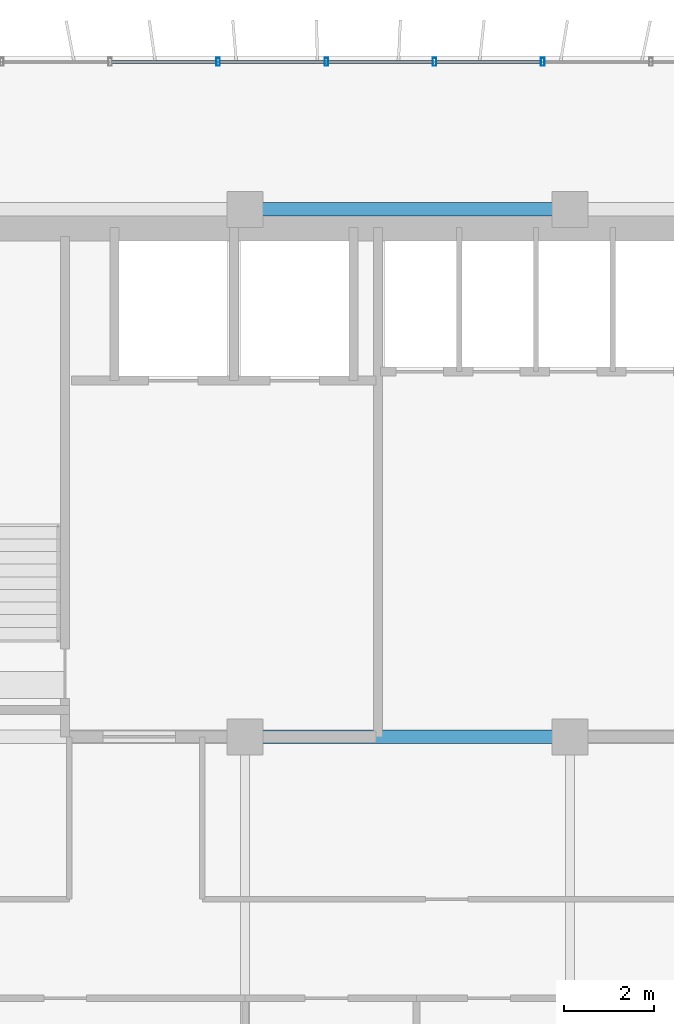
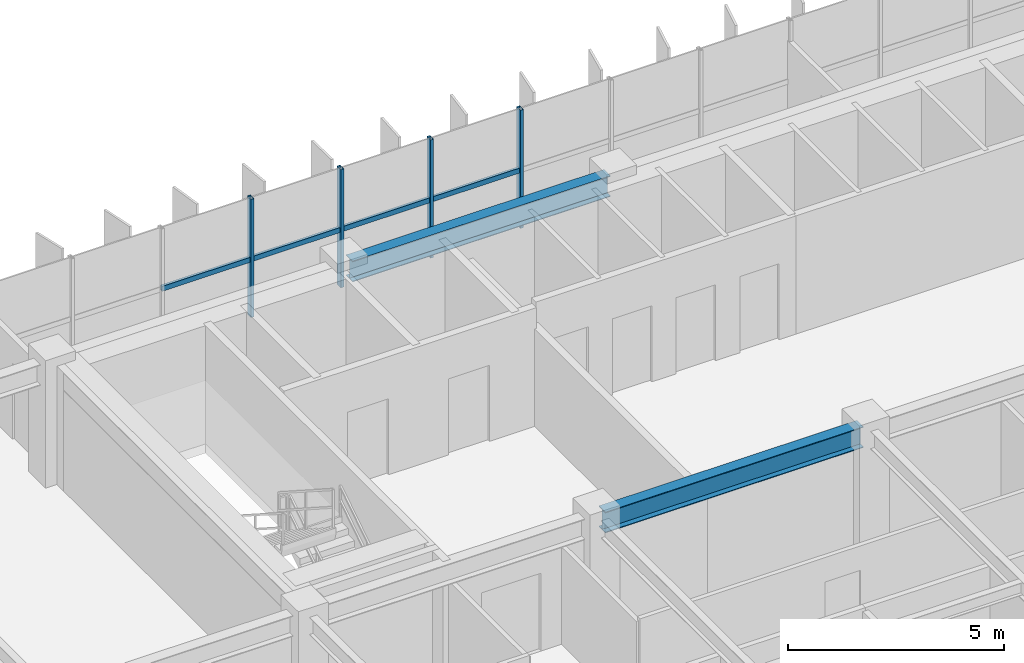
# One storey, part 6 of 21: 8 members, 2 beams, 1 element without a shape of its own.
"""IFC4 building model written with IfcOpenShell, lengths in metres."""

from ifc_helpers import new_model, si_unit, direction, frame, origin, origin_2d, place, context, subcontext, project, spatial, hollow_rectangle, i_section, extrude, source, transform, mapped, material, material_profile, profile_set, type_object, element, aggregate, save


model = new_model("IFC4")

# Units and contexts
model_context = context("Model", 3, precision=1e-05, world=origin(), true_north=direction((0.0, 1.0)))
body_context = subcontext(model_context, "Body", "Model", "MODEL_VIEW")
ifc_project = project(units=[si_unit("LENGTHUNIT", "METRE"), si_unit("AREAUNIT", "SQUARE_METRE"), si_unit("VOLUMEUNIT", "CUBIC_METRE"), si_unit("PLANEANGLEUNIT", "RADIAN"), si_unit("MASSUNIT", "GRAM", prefix="KILO")], contexts=[model_context])

# Site, building, storey
site_placement = place(None, origin())
site = spatial("IfcSite", under=ifc_project, at=site_placement, CompositionType="ELEMENT")
building_placement = place(site_placement, origin())
building = spatial("IfcBuilding", under=site, at=building_placement, Name="Trelvane Seafront Commons", CompositionType="ELEMENT")
storey_placement = place(building_placement, frame((0.0, 0.0, 106.89990234375)))
storey = spatial("IfcBuildingStorey", under=building, at=storey_placement, Name="L27", CompositionType="ELEMENT", Elevation=106.89990234375)

# Beams
ifc_material_1 = material(Name="Steel SM355 (S355)", Category="steel")
ifc_material_profile_1 = material_profile(ifc_material_1, i_section(OverallWidth=0.300048828125, OverallDepth=0.587890625, WebThickness=0.011962890625, FlangeThickness=0.02001953125, at=origin_2d()), Name="H-588x300x12x20")
ifc_profile_set_1 = profile_set([ifc_material_profile_1], Name="Steel SM355 (S355)")
beam_type = type_object("IfcBeamType", Name="STR-BM-H588", PredefinedType="BEAM", material=ifc_profile_set_1)
shared_shape_1 = source(origin(), body_context, "Body", "SweptSolid", [
    extrude(i_section(OverallWidth=0.300048828125, OverallDepth=0.587890625, WebThickness=0.011962890625, FlangeThickness=0.02001953125, at=origin_2d()), origin(), (0.0, 0.0, 1.0), 6.89990234375),
])
for number, where, z_axis, x_axis, name in (
    (1, (23.550048828125, 33.39990234375, 3.046142578125), (1.0, 0.0, 0.0), (0.0, 1.0, 0.0), "L27 Primary Girder G-22"),
    (2, (23.550048828125, 45.10009765625, 3.046142578125), (1.0, 0.0, 0.0), (0.0, 1.0, 0.0), "L27 Primary Girder G-31"),
):
    element("IfcBeam", number, at=place(storey_placement, frame(where, z_axis=z_axis, x_axis=x_axis)), inside=storey, type_object=beam_type, Name=name, PredefinedType="BEAM", context=body_context, shape_type="MappedRepresentation", body=[
        mapped(shared_shape_1, transform((0.0, 0.0, 0.0), x_axis=(1.0, 0.0, 0.0), y_axis=(0.0, 1.0, 0.0), z_axis=(0.0, 0.0, 1.0), scale=1.0)),
    ])

# Curtain wall, members
ifc_material_2 = material(Name="Anodised pale-silver aluminium", Category="aluminium")
curtain_wall_type = type_object("IfcCurtainWallType", Name="ARCH-CW4-SKYLOBBY", PredefinedType="NOTDEFINED", material=ifc_material_2)
curtain_wall_placement = place(storey_placement, origin())
curtain_wall = element("IfcCurtainWall", 3, at=curtain_wall_placement, inside=storey, type_object=curtain_wall_type, Name="CW-L27-0052", PredefinedType="NOTDEFINED")
ifc_material_profile_2 = material_profile(ifc_material_2, hollow_rectangle(XDim=0.074951171875, YDim=0.139892578125, WallThickness=0.00390625, at=origin_2d()), Name="TRAN-75x140x4")
ifc_profile_set_2 = profile_set([ifc_material_profile_2], Name="Anodised pale-silver aluminium")
member_type_1 = type_object("IfcMemberType", Name="ARCH-CW-TRAN-140", PredefinedType="USERDEFINED", material=ifc_profile_set_2)
shared_shape_2 = source(origin(), body_context, "Body", "SweptSolid", [
    extrude(hollow_rectangle(XDim=0.074951171875, YDim=0.139892578125, WallThickness=0.00390625, at=origin_2d()), origin(), (0.0, 0.0, 1.0), 2.3759765625),
])
member_1_placement = place(storey_placement, frame((20.412109375, 48.3701171875, 1.60302734375), z_axis=(1.0, 0.0, 0.0), x_axis=(0.0, 1.0, 0.0)))
member_1 = element("IfcMember", 4, at=member_1_placement, type_object=member_type_1, Name="CW-L27-0052-T02", ObjectType="TRANSOM", PredefinedType="USERDEFINED", context=body_context, shape_type="MappedRepresentation", body=[
    mapped(shared_shape_2, transform((0.0, 0.0, 0.0), x_axis=(1.0, 0.0, 0.0), y_axis=(0.0, 1.0, 0.0), z_axis=(0.0, 0.0, 1.0), scale=1.0)),
])
member_2_placement = place(storey_placement, frame((22.81201171875, 48.3701171875, 1.60302734375), z_axis=(1.0, 0.0, 0.0), x_axis=(0.0, 1.0, 0.0)))
member_2 = element("IfcMember", 5, at=member_2_placement, type_object=member_type_1, Name="CW-L27-0052-T03", ObjectType="TRANSOM", PredefinedType="USERDEFINED", context=body_context, shape_type="MappedRepresentation", body=[
    mapped(shared_shape_2, transform((0.0, 0.0, 0.0), x_axis=(1.0, 0.0, 0.0), y_axis=(0.0, 1.0, 0.0), z_axis=(0.0, 0.0, 1.0), scale=1.0)),
])
member_3_placement = place(storey_placement, frame((25.2119140625, 48.3701171875, 1.60302734375), z_axis=(1.0, 0.0, 0.0), x_axis=(0.0, 1.0, 0.0)))
member_3 = element("IfcMember", 6, at=member_3_placement, type_object=member_type_1, Name="CW-L27-0052-T04", ObjectType="TRANSOM", PredefinedType="USERDEFINED", context=body_context, shape_type="MappedRepresentation", body=[
    mapped(shared_shape_2, transform((0.0, 0.0, 0.0), x_axis=(1.0, 0.0, 0.0), y_axis=(0.0, 1.0, 0.0), z_axis=(0.0, 0.0, 1.0), scale=1.0)),
])
member_4_placement = place(storey_placement, frame((27.612060546875, 48.3701171875, 1.60302734375), z_axis=(1.0, 0.0, 0.0), x_axis=(0.0, 1.0, 0.0)))
member_4 = element("IfcMember", 7, at=member_4_placement, type_object=member_type_1, Name="CW-L27-0052-T05", ObjectType="TRANSOM", PredefinedType="USERDEFINED", context=body_context, shape_type="MappedRepresentation", body=[
    mapped(shared_shape_2, transform((0.0, 0.0, 0.0), x_axis=(1.0, 0.0, 0.0), y_axis=(0.0, 1.0, 0.0), z_axis=(0.0, 0.0, 1.0), scale=1.0)),
])
ifc_material_profile_3 = material_profile(ifc_material_2, hollow_rectangle(XDim=0.080078125, YDim=0.179931640625, WallThickness=0.00439453125, at=origin_2d()), Name="MULL-80x180x4.5")
ifc_profile_set_3 = profile_set([ifc_material_profile_3], Name="Anodised pale-silver aluminium")
member_type_2 = type_object("IfcMemberType", Name="ARCH-CW-MULL-180", PredefinedType="MULLION", material=ifc_profile_set_3)
shared_shape_3 = source(origin(), body_context, "Body", "SweptSolid", [
    extrude(hollow_rectangle(XDim=0.080078125, YDim=0.179931640625, WallThickness=0.00439453125, at=origin_2d()), origin(), (0.0, 0.0, 1.0), 3.340087890625),
])
member_5_placement = place(storey_placement, frame((22.800048828125, 48.3701171875, 0.0), z_axis=(0.0, 0.0, 1.0), x_axis=(1.0, 0.0, 0.0)))
member_5 = element("IfcMember", 8, at=member_5_placement, type_object=member_type_2, Name="CW-L27-0052-M03", PredefinedType="MULLION", context=body_context, shape_type="MappedRepresentation", body=[
    mapped(shared_shape_3, transform((0.0, 0.0, 0.0), x_axis=(1.0, 0.0, 0.0), y_axis=(0.0, 1.0, 0.0), z_axis=(0.0, 0.0, 1.0), scale=1.0)),
])
member_6_placement = place(storey_placement, frame((25.199951171875, 48.3701171875, 0.0), z_axis=(0.0, 0.0, 1.0), x_axis=(1.0, 0.0, 0.0)))
member_6 = element("IfcMember", 9, at=member_6_placement, type_object=member_type_2, Name="CW-L27-0052-M04", PredefinedType="MULLION", context=body_context, shape_type="MappedRepresentation", body=[
    mapped(shared_shape_3, transform((0.0, 0.0, 0.0), x_axis=(1.0, 0.0, 0.0), y_axis=(0.0, 1.0, 0.0), z_axis=(0.0, 0.0, 1.0), scale=1.0)),
])
member_7_placement = place(storey_placement, frame((27.60009765625, 48.3701171875, 0.0), z_axis=(0.0, 0.0, 1.0), x_axis=(1.0, 0.0, 0.0)))
member_7 = element("IfcMember", 10, at=member_7_placement, type_object=member_type_2, Name="CW-L27-0052-M05", PredefinedType="MULLION", context=body_context, shape_type="MappedRepresentation", body=[
    mapped(shared_shape_3, transform((0.0, 0.0, 0.0), x_axis=(1.0, 0.0, 0.0), y_axis=(0.0, 1.0, 0.0), z_axis=(0.0, 0.0, 1.0), scale=1.0)),
])
member_8_placement = place(storey_placement, frame((30.0, 48.3701171875, 0.0), z_axis=(0.0, 0.0, 1.0), x_axis=(1.0, 0.0, 0.0)))
member_8 = element("IfcMember", 11, at=member_8_placement, type_object=member_type_2, Name="CW-L27-0052-M06", PredefinedType="MULLION", context=body_context, shape_type="MappedRepresentation", body=[
    mapped(shared_shape_3, transform((0.0, 0.0, 0.0), x_axis=(1.0, 0.0, 0.0), y_axis=(0.0, 1.0, 0.0), z_axis=(0.0, 0.0, 1.0), scale=1.0)),
])
aggregate(curtain_wall, [member_5, member_6, member_7, member_8, member_1, member_2, member_3, member_4])

save(model, "model.ifc")
